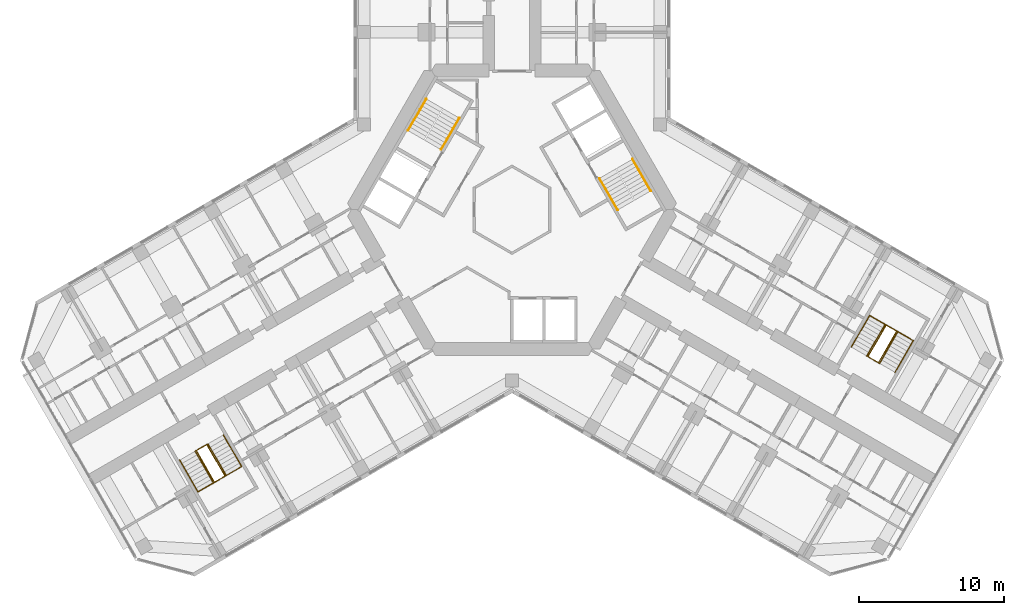
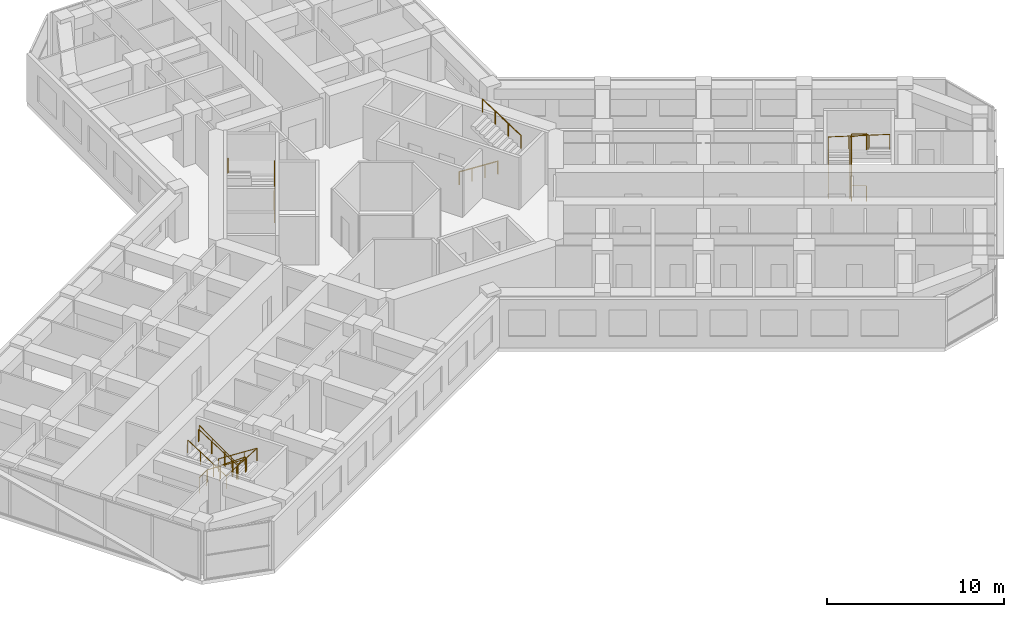
# One storey, part 19 of 19: 10 railings.
"""IFC4 building model written with IfcOpenShell, lengths in metres."""

from ifc_helpers import new_model, si_unit, direction, frame, origin, origin_2d, place, context, subcontext, project, spatial, circle, extrude, material, type_object, element, save


model = new_model("IFC4")

# Units and contexts
model_context = context("Model", 3, precision=1e-05, world=origin(), true_north=direction((0.0, 1.0)))
body_context = subcontext(model_context, "Body", "Model", "MODEL_VIEW")
ifc_project = project(units=[si_unit("LENGTHUNIT", "METRE"), si_unit("AREAUNIT", "SQUARE_METRE"), si_unit("VOLUMEUNIT", "CUBIC_METRE"), si_unit("PLANEANGLEUNIT", "RADIAN"), si_unit("MASSUNIT", "GRAM", prefix="KILO")], contexts=[model_context])

# Site, building, storey
site_placement = place(None, origin())
site = spatial("IfcSite", under=ifc_project, at=site_placement, CompositionType="ELEMENT")
building_placement = place(site_placement, origin())
building = spatial("IfcBuilding", under=site, at=building_placement, Name="Kosmar Iwan School Tower", CompositionType="ELEMENT")
storey_placement = place(building_placement, frame((0.0, 0.0, 165.199951171875)))
storey = spatial("IfcBuildingStorey", under=building, at=storey_placement, Name="L41", CompositionType="ELEMENT", Elevation=165.199951171875)

# Railings
ifc_material_1 = material(Name="Black steel", Category="steel")
railing_type_1 = type_object("IfcRailingType", Name="Stair handrail 900", PredefinedType="HANDRAIL", material=ifc_material_1)
railing_1_placement = place(storey_placement, frame((-4.89453125, 4.142333984375, 0.179931640625)))
element("IfcRailing", 1, at=railing_1_placement, inside=storey, type_object=railing_type_1, Name="Handrail ST2 flight 1", PredefinedType="HANDRAIL", context=body_context, shape_type="SweptSolid", body=[
    extrude(circle(Radius=0.02392578125, at=origin_2d()), frame((0.0, 0.0, 0.8759765625), z_axis=(0.420584145978, 0.728463801763, 0.540785970299), x_axis=(-0.866022637375, 0.500004791531, 0.0)), (0.0, 0.0, 1.0), 2.995849609375),
    extrude(circle(Radius=0.02099609375, at=origin_2d()), origin(), (0.0, 0.0, 1.0), 0.851806640625),
    extrude(circle(Radius=0.02099609375, at=origin_2d()), frame((0.419921875, 0.7275390625, 0.5400390625)), (0.0, 0.0, 1.0), 0.851806640625),
    extrude(circle(Radius=0.02099609375, at=origin_2d()), frame((0.840087890625, 1.454833984375, 1.080078125)), (0.0, 0.0, 1.0), 0.851806640625),
    extrude(circle(Radius=0.02099609375, at=origin_2d()), frame((1.260009765625, 2.182373046875, 1.6201171875)), (0.0, 0.0, 1.0), 0.851806640625),
])
railing_2_placement = place(storey_placement, frame((-5.912353515625, 7.6396484375, 1.97998046875)))
element("IfcRailing", 2, at=railing_2_placement, inside=storey, type_object=railing_type_1, Name="Handrail ST2 flight 2", PredefinedType="HANDRAIL", context=body_context, shape_type="SweptSolid", body=[
    extrude(circle(Radius=0.02392578125, at=origin_2d()), frame((0.0, 0.0, 0.8759765625), z_axis=(-0.420584145978, -0.728463801763, 0.540785970299), x_axis=(0.866022637375, -0.500004791531, 0.0)), (0.0, 0.0, 1.0), 2.995849609375),
    extrude(circle(Radius=0.02099609375, at=origin_2d()), origin(), (0.0, 0.0, 1.0), 0.851806640625),
    extrude(circle(Radius=0.02099609375, at=origin_2d()), frame((-0.419921875, -0.7275390625, 0.5400390625)), (0.0, 0.0, 1.0), 0.851806640625),
    extrude(circle(Radius=0.02099609375, at=origin_2d()), frame((-0.840087890625, -1.454833984375, 1.080078125)), (0.0, 0.0, 1.0), 0.851806640625),
    extrude(circle(Radius=0.02099609375, at=origin_2d()), frame((-1.260009765625, -2.182373046875, 1.6201171875)), (0.0, 0.0, 1.0), 0.851806640625),
])
railing_3_placement = place(storey_placement, frame((6.03466796875, 2.167724609375, 0.179931640625)))
element("IfcRailing", 3, at=railing_3_placement, inside=storey, type_object=railing_type_1, Name="Handrail ST1 flight 1", PredefinedType="HANDRAIL", context=body_context, shape_type="SweptSolid", body=[
    extrude(circle(Radius=0.02392578125, at=origin_2d()), frame((0.0, 0.0, 0.8759765625), z_axis=(0.420584145978, -0.728463801763, 0.540785970299), x_axis=(0.866022637375, 0.500004791531, 0.0)), (0.0, 0.0, 1.0), 2.995849609375),
    extrude(circle(Radius=0.02099609375, at=origin_2d()), origin(), (0.0, 0.0, 1.0), 0.851806640625),
    extrude(circle(Radius=0.02099609375, at=origin_2d()), frame((0.419921875, -0.7275390625, 0.5400390625)), (0.0, 0.0, 1.0), 0.851806640625),
    extrude(circle(Radius=0.02099609375, at=origin_2d()), frame((0.840087890625, -1.454833984375, 1.080078125)), (0.0, 0.0, 1.0), 0.851806640625),
    extrude(circle(Radius=0.02099609375, at=origin_2d()), frame((1.260009765625, -2.182373046875, 1.6201171875)), (0.0, 0.0, 1.0), 0.851806640625),
])
railing_4_placement = place(storey_placement, frame((9.572265625, 1.30029296875, 1.97998046875)))
element("IfcRailing", 4, at=railing_4_placement, inside=storey, type_object=railing_type_1, Name="Handrail ST1 flight 2", PredefinedType="HANDRAIL", context=body_context, shape_type="SweptSolid", body=[
    extrude(circle(Radius=0.02392578125, at=origin_2d()), frame((0.0, 0.0, 0.8759765625), z_axis=(-0.420584145978, 0.728463801763, 0.540785970299), x_axis=(-0.866022637375, -0.500004791531, 0.0)), (0.0, 0.0, 1.0), 2.995849609375),
    extrude(circle(Radius=0.02099609375, at=origin_2d()), origin(), (0.0, 0.0, 1.0), 0.851806640625),
    extrude(circle(Radius=0.02099609375, at=origin_2d()), frame((-0.419921875, 0.7275390625, 0.5400390625)), (0.0, 0.0, 1.0), 0.851806640625),
    extrude(circle(Radius=0.02099609375, at=origin_2d()), frame((-0.840087890625, 1.454833984375, 1.080078125)), (0.0, 0.0, 1.0), 0.851806640625),
    extrude(circle(Radius=0.02099609375, at=origin_2d()), frame((-1.260009765625, 2.182373046875, 1.6201171875)), (0.0, 0.0, 1.0), 0.851806640625),
])
railing_5_placement = place(storey_placement, frame((-19.9091796875, -15.5361328125, 0.179931640625)))
element("IfcRailing", 5, at=railing_5_placement, inside=storey, type_object=railing_type_1, Name="Handrail stair WS2 L41 wall side", PredefinedType="HANDRAIL", context=body_context, shape_type="SweptSolid", body=[
    extrude(circle(Radius=0.02392578125, at=origin_2d()), frame((0.0, 0.0, 0.8759765625), z_axis=(0.420517065106, -0.728488768407, 0.540804504659), x_axis=(0.866064587494, 0.499932125682, 0.0)), (0.0, 0.0, 1.0), 2.995849609375),
    extrude(circle(Radius=0.02392578125, at=origin_2d()), frame((1.259765625, -2.182373046875, 2.49609375), z_axis=(-0.864864352349, -0.499342858003, 0.051636829851), x_axis=(0.500009906705, -0.86601968407, 0.0)), (0.0, 0.0, 1.0), 3.484619140625),
    extrude(circle(Radius=0.02392578125, at=origin_2d()), frame((-1.75390625, -3.92236328125, 2.67578125), z_axis=(-0.420584145978, 0.728463801763, 0.540785970299), x_axis=(-0.866022637375, -0.500004791531, 0.0)), (0.0, 0.0, 1.0), 2.995849609375),
    extrude(circle(Radius=0.02099609375, at=origin_2d()), origin(), (0.0, 0.0, 1.0), 0.851806640625),
    extrude(circle(Radius=0.02099609375, at=origin_2d()), frame((0.419921875, -0.7275390625, 0.5400390625)), (0.0, 0.0, 1.0), 0.851806640625),
    extrude(circle(Radius=0.02099609375, at=origin_2d()), frame((0.83984375, -1.454833984375, 1.080078125)), (0.0, 0.0, 1.0), 0.851806640625),
    extrude(circle(Radius=0.02099609375, at=origin_2d()), frame((1.259765625, -2.182373046875, 1.6201171875)), (0.0, 0.0, 1.0), 0.851806640625),
    extrude(circle(Radius=0.02099609375, at=origin_2d()), frame((0.255126953125, -2.762451171875, 1.68017578125)), (0.0, 0.0, 1.0), 0.851806640625),
    extrude(circle(Radius=0.02099609375, at=origin_2d()), frame((-0.749267578125, -3.34228515625, 1.739990234375)), (0.0, 0.0, 1.0), 0.851806640625),
    extrude(circle(Radius=0.02099609375, at=origin_2d()), frame((-1.75390625, -3.92236328125, 1.800048828125)), (0.0, 0.0, 1.0), 0.851806640625),
    extrude(circle(Radius=0.02099609375, at=origin_2d()), frame((-2.173828125, -3.19482421875, 2.340087890625)), (0.0, 0.0, 1.0), 0.851806640625),
    extrude(circle(Radius=0.02099609375, at=origin_2d()), frame((-2.593994140625, -2.467529296875, 2.880126953125)), (0.0, 0.0, 1.0), 0.851806640625),
    extrude(circle(Radius=0.02099609375, at=origin_2d()), frame((-3.013916015625, -1.739990234375, 3.420166015625)), (0.0, 0.0, 1.0), 0.851806640625),
])
railing_6_placement = place(storey_placement, frame((-20.974609375, -16.151123046875, 0.179931640625)))
element("IfcRailing", 6, at=railing_6_placement, inside=storey, type_object=railing_type_1, Name="Handrail stair WS2 L41 well side", PredefinedType="HANDRAIL", context=body_context, shape_type="SweptSolid", body=[
    extrude(circle(Radius=0.02392578125, at=origin_2d()), frame((0.0, 0.0, 0.8759765625), z_axis=(0.420584145978, -0.728463801763, 0.540785970299), x_axis=(0.866022637375, 0.500004791531, 0.0)), (0.0, 0.0, 1.0), 2.995849609375),
    extrude(circle(Radius=0.02392578125, at=origin_2d()), frame((1.260009765625, -2.182373046875, 2.49609375), z_axis=(-0.852841519511, -0.492422867401, 0.173726976197), x_axis=(0.500026340207, -0.866010195725, 0.0)), (0.0, 0.0, 1.0), 1.03564453125),
    extrude(circle(Radius=0.02392578125, at=origin_2d()), frame((0.376708984375, -2.6923828125, 2.67578125), z_axis=(-0.420584145978, 0.728463801763, 0.540785970299), x_axis=(-0.866022637375, -0.500004791531, 0.0)), (0.0, 0.0, 1.0), 2.995849609375),
    extrude(circle(Radius=0.02099609375, at=origin_2d()), origin(), (0.0, 0.0, 1.0), 0.851806640625),
    extrude(circle(Radius=0.02099609375, at=origin_2d()), frame((0.419921875, -0.7275390625, 0.5400390625)), (0.0, 0.0, 1.0), 0.851806640625),
    extrude(circle(Radius=0.02099609375, at=origin_2d()), frame((0.840087890625, -1.454833984375, 1.080078125)), (0.0, 0.0, 1.0), 0.851806640625),
    extrude(circle(Radius=0.02099609375, at=origin_2d()), frame((1.260009765625, -2.182373046875, 1.6201171875)), (0.0, 0.0, 1.0), 0.851806640625),
    extrude(circle(Radius=0.02099609375, at=origin_2d()), frame((0.376708984375, -2.6923828125, 1.800048828125)), (0.0, 0.0, 1.0), 0.851806640625),
    extrude(circle(Radius=0.02099609375, at=origin_2d()), frame((-0.043212890625, -1.96484375, 2.340087890625)), (0.0, 0.0, 1.0), 0.851806640625),
    extrude(circle(Radius=0.02099609375, at=origin_2d()), frame((-0.46337890625, -1.237548828125, 2.880126953125)), (0.0, 0.0, 1.0), 0.851806640625),
    extrude(circle(Radius=0.02099609375, at=origin_2d()), frame((-0.88330078125, -0.510009765625, 3.420166015625)), (0.0, 0.0, 1.0), 0.851806640625),
])
railing_7_placement = place(storey_placement, frame((23.4091796875, -9.473876953125, 0.179931640625)))
element("IfcRailing", 7, at=railing_7_placement, inside=storey, type_object=railing_type_1, Name="Handrail stair WS3 L41 wall side", PredefinedType="HANDRAIL", context=body_context, shape_type="SweptSolid", body=[
    extrude(circle(Radius=0.02392578125, at=origin_2d()), frame((0.0, 0.0, 0.8759765625), z_axis=(0.420584145978, 0.728463801763, 0.540785970299), x_axis=(-0.866022637375, 0.500004791531, 0.0)), (0.0, 0.0, 1.0), 2.995849609375),
    extrude(circle(Radius=0.02392578125, at=origin_2d()), frame((1.260009765625, 2.182373046875, 2.49609375), z_axis=(0.864882007433, -0.499312601618, 0.051633701051), x_axis=(0.499979528911, 0.866037222451, 0.0)), (0.0, 0.0, 1.0), 3.48486328125),
    extrude(circle(Radius=0.02392578125, at=origin_2d()), frame((4.27392578125, 0.4423828125, 2.67578125), z_axis=(-0.420584145978, -0.728463801763, 0.540785970299), x_axis=(0.866022637375, -0.500004791531, 0.0)), (0.0, 0.0, 1.0), 2.995849609375),
    extrude(circle(Radius=0.02099609375, at=origin_2d()), origin(), (0.0, 0.0, 1.0), 0.851806640625),
    extrude(circle(Radius=0.02099609375, at=origin_2d()), frame((0.419921875, 0.7275390625, 0.5400390625)), (0.0, 0.0, 1.0), 0.851806640625),
    extrude(circle(Radius=0.02099609375, at=origin_2d()), frame((0.840087890625, 1.454833984375, 1.080078125)), (0.0, 0.0, 1.0), 0.851806640625),
    extrude(circle(Radius=0.02099609375, at=origin_2d()), frame((1.260009765625, 2.182373046875, 1.6201171875)), (0.0, 0.0, 1.0), 0.851806640625),
    extrude(circle(Radius=0.02099609375, at=origin_2d()), frame((2.2646484375, 1.602294921875, 1.68017578125)), (0.0, 0.0, 1.0), 0.851806640625),
    extrude(circle(Radius=0.02099609375, at=origin_2d()), frame((3.269287109375, 1.0224609375, 1.739990234375)), (0.0, 0.0, 1.0), 0.851806640625),
    extrude(circle(Radius=0.02099609375, at=origin_2d()), frame((4.27392578125, 0.4423828125, 1.800048828125)), (0.0, 0.0, 1.0), 0.851806640625),
    extrude(circle(Radius=0.02099609375, at=origin_2d()), frame((3.85400390625, -0.28515625, 2.340087890625)), (0.0, 0.0, 1.0), 0.851806640625),
    extrude(circle(Radius=0.02099609375, at=origin_2d()), frame((3.433837890625, -1.012451171875, 2.880126953125)), (0.0, 0.0, 1.0), 0.851806640625),
    extrude(circle(Radius=0.02099609375, at=origin_2d()), frame((3.013916015625, -1.739990234375, 3.420166015625)), (0.0, 0.0, 1.0), 0.851806640625),
])
railing_8_placement = place(storey_placement, frame((24.474609375, -10.0888671875, 0.179931640625)))
element("IfcRailing", 8, at=railing_8_placement, inside=storey, type_object=railing_type_1, Name="Handrail stair WS3 L41 well side", PredefinedType="HANDRAIL", context=body_context, shape_type="SweptSolid", body=[
    extrude(circle(Radius=0.02392578125, at=origin_2d()), frame((0.0, 0.0, 0.8759765625), z_axis=(0.420584145978, 0.728463801763, 0.540785970299), x_axis=(-0.866022637375, 0.500004791531, 0.0)), (0.0, 0.0, 1.0), 2.995849609375),
    extrude(circle(Radius=0.02392578125, at=origin_2d()), frame((1.260009765625, 2.182373046875, 2.49609375), z_axis=(0.852841519511, -0.492422867401, 0.173726976197), x_axis=(0.500026340207, 0.866010195725, 0.0)), (0.0, 0.0, 1.0), 1.03564453125),
    extrude(circle(Radius=0.02392578125, at=origin_2d()), frame((2.143310546875, 1.67236328125, 2.67578125), z_axis=(-0.420584145978, -0.728463801763, 0.540785970299), x_axis=(0.866022637375, -0.500004791531, 0.0)), (0.0, 0.0, 1.0), 2.995849609375),
    extrude(circle(Radius=0.02099609375, at=origin_2d()), origin(), (0.0, 0.0, 1.0), 0.851806640625),
    extrude(circle(Radius=0.02099609375, at=origin_2d()), frame((0.419921875, 0.7275390625, 0.5400390625)), (0.0, 0.0, 1.0), 0.851806640625),
    extrude(circle(Radius=0.02099609375, at=origin_2d()), frame((0.840087890625, 1.454833984375, 1.080078125)), (0.0, 0.0, 1.0), 0.851806640625),
    extrude(circle(Radius=0.02099609375, at=origin_2d()), frame((1.260009765625, 2.182373046875, 1.6201171875)), (0.0, 0.0, 1.0), 0.851806640625),
    extrude(circle(Radius=0.02099609375, at=origin_2d()), frame((2.143310546875, 1.67236328125, 1.800048828125)), (0.0, 0.0, 1.0), 0.851806640625),
    extrude(circle(Radius=0.02099609375, at=origin_2d()), frame((1.723388671875, 0.94482421875, 2.340087890625)), (0.0, 0.0, 1.0), 0.851806640625),
    extrude(circle(Radius=0.02099609375, at=origin_2d()), frame((1.30322265625, 0.217529296875, 2.880126953125)), (0.0, 0.0, 1.0), 0.851806640625),
    extrude(circle(Radius=0.02099609375, at=origin_2d()), frame((0.88330078125, -0.510009765625, 3.420166015625)), (0.0, 0.0, 1.0), 0.851806640625),
])
ifc_material_2 = material(Name="Black steel", Category="steel")
railing_type_2 = type_object("IfcRailingType", Name="Stair well guard 1100", PredefinedType="GUARDRAIL", material=ifc_material_2)
railing_9_placement = place(storey_placement, frame((-21.780029296875, -16.6162109375, 0.0)))
element("IfcRailing", 9, at=railing_9_placement, inside=storey, type_object=railing_type_2, Name="Stair WS2 L41 well guard", PredefinedType="GUARDRAIL", context=body_context, shape_type="SweptSolid", body=[
    extrude(circle(Radius=0.02392578125, at=origin_2d()), frame((0.0, 0.0, 1.076171875), z_axis=(0.865962960534, 0.500108139288, 0.0), x_axis=(-0.500108139288, 0.865962960534, 0.0)), (0.0, 0.0, 1.0), 0.840087890625),
    extrude(circle(Radius=0.02392578125, at=origin_2d()), frame((0.7275390625, 0.420166015625, 1.076171875), z_axis=(0.40686665399, -0.704704712268, 0.58124933925), x_axis=(0.866022637375, 0.500004791531, 0.0)), (0.0, 0.0, 1.0), 3.096923828125),
    extrude(circle(Radius=0.02392578125, at=origin_2d()), frame((1.987548828125, -1.76220703125, 2.8759765625), z_axis=(-0.865962960534, -0.500108139288, 0.0), x_axis=(0.500108139288, -0.865962960534, 0.0)), (0.0, 0.0, 1.0), 0.840087890625),
    extrude(circle(Radius=0.02392578125, at=origin_2d()), frame((1.260009765625, -2.182373046875, 2.8759765625), z_axis=(-0.40686665399, 0.704704712268, 0.58124933925), x_axis=(-0.866022637375, -0.500004791531, 0.0)), (0.0, 0.0, 1.0), 3.096923828125),
    extrude(circle(Radius=0.02099609375, at=origin_2d()), origin(), (0.0, 0.0, 1.0), 1.052001953125),
    extrude(circle(Radius=0.02099609375, at=origin_2d()), frame((0.7275390625, 0.420166015625, 0.0)), (0.0, 0.0, 1.0), 1.052001953125),
    extrude(circle(Radius=0.02099609375, at=origin_2d()), frame((1.1474609375, -0.307373046875, 0.60009765625)), (0.0, 0.0, 1.0), 1.052001953125),
    extrude(circle(Radius=0.02099609375, at=origin_2d()), frame((1.567626953125, -1.03466796875, 1.199951171875)), (0.0, 0.0, 1.0), 1.052001953125),
    extrude(circle(Radius=0.02099609375, at=origin_2d()), frame((1.987548828125, -1.76220703125, 1.800048828125)), (0.0, 0.0, 1.0), 1.052001953125),
    extrude(circle(Radius=0.02099609375, at=origin_2d()), frame((1.260009765625, -2.182373046875, 1.800048828125)), (0.0, 0.0, 1.0), 1.052001953125),
    extrude(circle(Radius=0.02099609375, at=origin_2d()), frame((0.840087890625, -1.454833984375, 2.400146484375)), (0.0, 0.0, 1.0), 1.052001953125),
    extrude(circle(Radius=0.02099609375, at=origin_2d()), frame((0.419921875, -0.7275390625, 3.0)), (0.0, 0.0, 1.0), 1.052001953125),
    extrude(circle(Radius=0.02099609375, at=origin_2d()), frame((0.0, 0.0, 3.60009765625)), (0.0, 0.0, 1.0), 1.052001953125),
])
railing_10_placement = place(storey_placement, frame((25.280029296875, -10.553955078125, 0.0)))
element("IfcRailing", 10, at=railing_10_placement, inside=storey, type_object=railing_type_2, Name="Stair WS3 L41 well guard", PredefinedType="GUARDRAIL", context=body_context, shape_type="SweptSolid", body=[
    extrude(circle(Radius=0.02392578125, at=origin_2d()), frame((0.0, 0.0, 1.076171875), z_axis=(-0.865962960534, 0.500108139288, 0.0), x_axis=(-0.500108139288, -0.865962960534, 0.0)), (0.0, 0.0, 1.0), 0.840087890625),
    extrude(circle(Radius=0.02392578125, at=origin_2d()), frame((-0.7275390625, 0.420166015625, 1.076171875), z_axis=(0.40686665399, 0.704704712268, 0.58124933925), x_axis=(-0.866022637375, 0.500004791531, 0.0)), (0.0, 0.0, 1.0), 3.096923828125),
    extrude(circle(Radius=0.02392578125, at=origin_2d()), frame((0.532470703125, 2.6025390625, 2.8759765625), z_axis=(0.865890253765, -0.500234013672, 0.0), x_axis=(0.500234013672, 0.865890253765, 0.0)), (0.0, 0.0, 1.0), 0.83984375),
    extrude(circle(Radius=0.02392578125, at=origin_2d()), frame((1.259765625, 2.182373046875, 2.8759765625), z_axis=(-0.406800866334, -0.70472731476, 0.58126798207), x_axis=(0.866064587494, -0.499932125682, 0.0)), (0.0, 0.0, 1.0), 3.0966796875),
    extrude(circle(Radius=0.02099609375, at=origin_2d()), origin(), (0.0, 0.0, 1.0), 1.052001953125),
    extrude(circle(Radius=0.02099609375, at=origin_2d()), frame((-0.7275390625, 0.420166015625, 0.0)), (0.0, 0.0, 1.0), 1.052001953125),
    extrude(circle(Radius=0.02099609375, at=origin_2d()), frame((-0.3076171875, 1.147705078125, 0.60009765625)), (0.0, 0.0, 1.0), 1.052001953125),
    extrude(circle(Radius=0.02099609375, at=origin_2d()), frame((0.112548828125, 1.875, 1.199951171875)), (0.0, 0.0, 1.0), 1.052001953125),
    extrude(circle(Radius=0.02099609375, at=origin_2d()), frame((0.532470703125, 2.6025390625, 1.800048828125)), (0.0, 0.0, 1.0), 1.052001953125),
    extrude(circle(Radius=0.02099609375, at=origin_2d()), frame((1.259765625, 2.182373046875, 1.800048828125)), (0.0, 0.0, 1.0), 1.052001953125),
    extrude(circle(Radius=0.02099609375, at=origin_2d()), frame((0.83984375, 1.454833984375, 2.400146484375)), (0.0, 0.0, 1.0), 1.052001953125),
    extrude(circle(Radius=0.02099609375, at=origin_2d()), frame((0.419921875, 0.7275390625, 3.0)), (0.0, 0.0, 1.0), 1.052001953125),
    extrude(circle(Radius=0.02099609375, at=origin_2d()), frame((0.0, 0.0, 3.60009765625)), (0.0, 0.0, 1.0), 1.052001953125),
])

save(model, "model.ifc")
